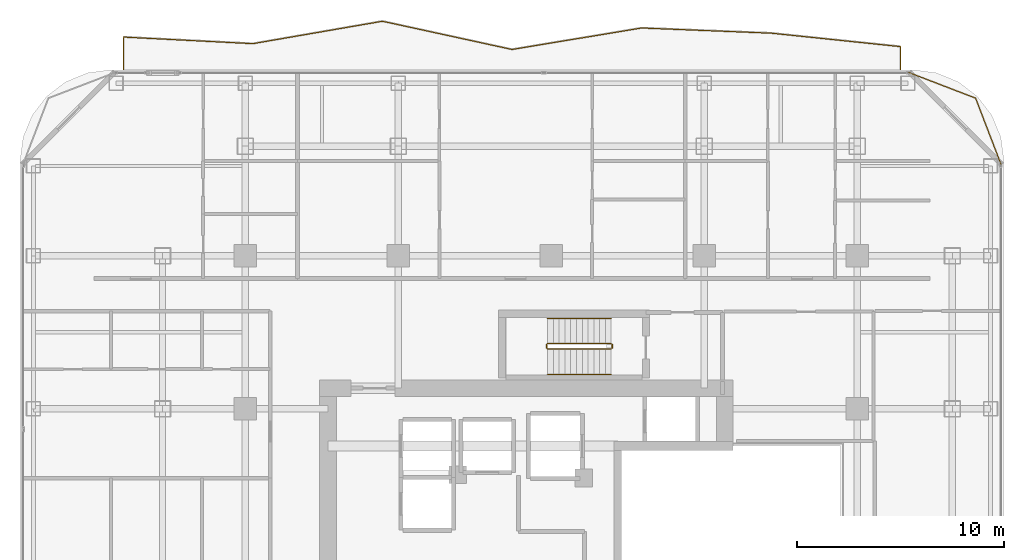
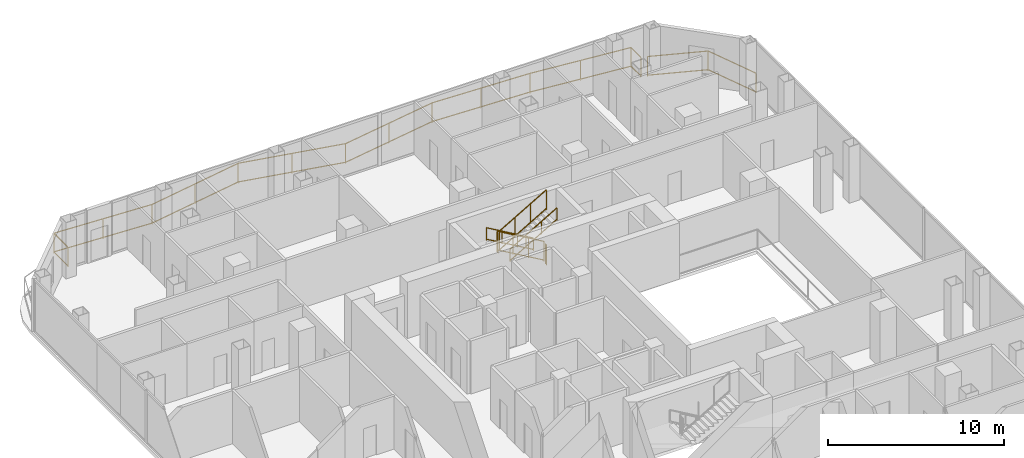
# One storey, part 26 of 26: 8 railings.
"""IFC4 building model written with IfcOpenShell, lengths in metres."""

from ifc_helpers import new_model, si_unit, direction, frame, origin, origin_2d, place, context, subcontext, project, spatial, rectangle, extrude, material, type_object, element, save


model = new_model("IFC4")

# Units and contexts
model_context = context("Model", 3, precision=1e-05, world=origin(), true_north=direction((0.0, 1.0)))
body_context = subcontext(model_context, "Body", "Model", "MODEL_VIEW")
ifc_project = project(units=[si_unit("LENGTHUNIT", "METRE"), si_unit("AREAUNIT", "SQUARE_METRE"), si_unit("VOLUMEUNIT", "CUBIC_METRE"), si_unit("PLANEANGLEUNIT", "RADIAN"), si_unit("MASSUNIT", "GRAM", prefix="KILO")], contexts=[model_context])

# Site, building, storey
site_placement = place(None, origin())
site = spatial("IfcSite", under=ifc_project, at=site_placement, CompositionType="ELEMENT")
building_placement = place(site_placement, origin())
building = spatial("IfcBuilding", under=site, at=building_placement, Name="Khorvyn Point Tower", CompositionType="ELEMENT")
storey_placement = place(building_placement, frame((0.0, 0.0, 183.60009765625)))
storey = spatial("IfcBuildingStorey", under=building, at=storey_placement, Name="L45", CompositionType="ELEMENT", Elevation=183.60009765625)

# Railings
ifc_material_1 = material(Name="Anodised aluminium 6063-T6 and laminated safety glass", Category="aluminium")
railing_type_1 = type_object("IfcRailingType", Name="Laminated Glass and Aluminium Balcony Guardrail 1400", PredefinedType="BALUSTRADE", material=ifc_material_1)
railing_1_placement = place(storey_placement, frame((21.774169921875, 19.176025390625, 0.0)))
element("IfcRailing", 1, at=railing_1_placement, inside=storey, type_object=railing_type_1, Name="L45 Rounded Corner Edge Guardrail NE", PredefinedType="BALUSTRADE", context=body_context, shape_type="SweptSolid", body=[
    extrude(rectangle(XDim=0.048095703125, YDim=0.048095703125, at=origin_2d()), frame((0.0, 0.0, 1.3759765625), z_axis=(-0.358382264808, 0.933574931257, 0.0), x_axis=(-0.933574931257, -0.358382264808, 0.0)), (0.0, 0.0, 1.0), 3.481689453125),
    extrude(rectangle(XDim=0.048095703125, YDim=0.048095703125, at=origin_2d()), frame((0.0, 0.0, 0.080078125), z_axis=(-0.358382264808, 0.933574931257, 0.0), x_axis=(-0.933574931257, -0.358382264808, 0.0)), (0.0, 0.0, 1.0), 3.481689453125),
    extrude(rectangle(XDim=0.048095703125, YDim=0.048095703125, at=origin_2d()), frame((-1.247802734375, 3.25048828125, 1.3759765625), z_axis=(-0.933598390295, 0.358321148746, 0.0), x_axis=(-0.358321148746, -0.933598390295, 0.0)), (0.0, 0.0, 1.0), 3.481689453125),
    extrude(rectangle(XDim=0.048095703125, YDim=0.048095703125, at=origin_2d()), frame((-1.247802734375, 3.25048828125, 0.080078125), z_axis=(-0.933598390295, 0.358321148746, 0.0), x_axis=(-0.358321148746, -0.933598390295, 0.0)), (0.0, 0.0, 1.0), 3.481689453125),
    extrude(rectangle(XDim=0.0419921875, YDim=0.0419921875, at=origin_2d()), origin(), (0.0, 0.0, 1.0), 1.351806640625),
    extrude(rectangle(XDim=0.0419921875, YDim=0.0419921875, at=origin_2d()), frame((-1.247802734375, 3.25048828125, 0.0)), (0.0, 0.0, 1.0), 1.351806640625),
    extrude(rectangle(XDim=0.0419921875, YDim=0.0419921875, at=origin_2d()), frame((-4.498291015625, 4.498046875, 0.0)), (0.0, 0.0, 1.0), 1.351806640625),
])
railing_2_placement = place(storey_placement, frame((16.89990234375, 23.800048828125, 0.0)))
element("IfcRailing", 2, at=railing_2_placement, inside=storey, type_object=railing_type_1, Name="L45 North Balcony Guardrail", PredefinedType="BALUSTRADE", context=body_context, shape_type="SweptSolid", body=[
    extrude(rectangle(XDim=0.048095703125, YDim=0.048095703125, at=origin_2d()), frame((0.0, 0.0, 1.3759765625), z_axis=(0.0, 1.0, 0.0), x_axis=(-1.0, 0.0, 0.0)), (0.0, 0.0, 1.0), 1.11865234375),
    extrude(rectangle(XDim=0.048095703125, YDim=0.048095703125, at=origin_2d()), frame((0.0, 0.0, 0.080078125), z_axis=(0.0, 1.0, 0.0), x_axis=(-1.0, 0.0, 0.0)), (0.0, 0.0, 1.0), 1.11865234375),
    extrude(rectangle(XDim=0.048095703125, YDim=0.048095703125, at=origin_2d()), frame((0.0, 1.11865234375, 1.3759765625), z_axis=(-0.99462938435, 0.103500665638, 0.0), x_axis=(-0.103500665638, -0.99462938435, 0.0)), (0.0, 0.0, 1.0), 6.300537109375),
    extrude(rectangle(XDim=0.048095703125, YDim=0.048095703125, at=origin_2d()), frame((0.0, 1.11865234375, 0.080078125), z_axis=(-0.99462938435, 0.103500665638, 0.0), x_axis=(-0.103500665638, -0.99462938435, 0.0)), (0.0, 0.0, 1.0), 6.300537109375),
    extrude(rectangle(XDim=0.048095703125, YDim=0.048095703125, at=origin_2d()), frame((-6.2666015625, 1.770751953125, 1.3759765625), z_axis=(-0.999209826541, 0.039745723582, 0.0), x_axis=(-0.039745723582, -0.999209826541, 0.0)), (0.0, 0.0, 1.0), 6.271484375),
    extrude(rectangle(XDim=0.048095703125, YDim=0.048095703125, at=origin_2d()), frame((-6.2666015625, 1.770751953125, 0.080078125), z_axis=(-0.999209826541, 0.039745723582, 0.0), x_axis=(-0.039745723582, -0.999209826541, 0.0)), (0.0, 0.0, 1.0), 6.271484375),
    extrude(rectangle(XDim=0.048095703125, YDim=0.048095703125, at=origin_2d()), frame((-12.533203125, 2.02001953125, 1.3759765625), z_axis=(-0.986524494659, -0.163613634633, 0.0), x_axis=(0.163613634633, -0.986524494659, 0.0)), (0.0, 0.0, 1.0), 6.352294921875),
    extrude(rectangle(XDim=0.048095703125, YDim=0.048095703125, at=origin_2d()), frame((-12.533203125, 2.02001953125, 0.080078125), z_axis=(-0.986524494659, -0.163613634633, 0.0), x_axis=(0.163613634633, -0.986524494659, 0.0)), (0.0, 0.0, 1.0), 6.352294921875),
    extrude(rectangle(XDim=0.048095703125, YDim=0.048095703125, at=origin_2d()), frame((-18.7998046875, 0.980712890625, 1.3759765625), z_axis=(-0.977051492994, 0.213003239503, 0.0), x_axis=(-0.213003239503, -0.977051492994, 0.0)), (0.0, 0.0, 1.0), 6.4140625),
    extrude(rectangle(XDim=0.048095703125, YDim=0.048095703125, at=origin_2d()), frame((-18.7998046875, 0.980712890625, 0.080078125), z_axis=(-0.977051492994, 0.213003239503, 0.0), x_axis=(-0.213003239503, -0.977051492994, 0.0)), (0.0, 0.0, 1.0), 6.4140625),
    extrude(rectangle(XDim=0.048095703125, YDim=0.048095703125, at=origin_2d()), frame((-25.066650390625, 2.346923828125, 1.3759765625), z_axis=(-0.985353979217, -0.170521364177, 0.0), x_axis=(0.170521364177, -0.985353979217, 0.0)), (0.0, 0.0, 1.0), 6.35986328125),
    extrude(rectangle(XDim=0.048095703125, YDim=0.048095703125, at=origin_2d()), frame((-25.066650390625, 2.346923828125, 0.080078125), z_axis=(-0.985353979217, -0.170521364177, 0.0), x_axis=(0.170521364177, -0.985353979217, 0.0)), (0.0, 0.0, 1.0), 6.35986328125),
    extrude(rectangle(XDim=0.048095703125, YDim=0.048095703125, at=origin_2d()), frame((-31.333251953125, 1.262451171875, 1.3759765625), z_axis=(-0.998706121207, 0.050853549183, 0.0), x_axis=(-0.050853549183, -0.998706121207, 0.0)), (0.0, 0.0, 1.0), 6.274658203125),
    extrude(rectangle(XDim=0.048095703125, YDim=0.048095703125, at=origin_2d()), frame((-31.333251953125, 1.262451171875, 0.080078125), z_axis=(-0.998706121207, 0.050853549183, 0.0), x_axis=(-0.050853549183, -0.998706121207, 0.0)), (0.0, 0.0, 1.0), 6.274658203125),
    extrude(rectangle(XDim=0.048095703125, YDim=0.048095703125, at=origin_2d()), frame((-37.599853515625, 1.58154296875, 1.3759765625), z_axis=(0.0, -1.0, 0.0), x_axis=(1.0, 0.0, 0.0)), (0.0, 0.0, 1.0), 1.58154296875),
    extrude(rectangle(XDim=0.048095703125, YDim=0.048095703125, at=origin_2d()), frame((-37.599853515625, 1.58154296875, 0.080078125), z_axis=(0.0, -1.0, 0.0), x_axis=(1.0, 0.0, 0.0)), (0.0, 0.0, 1.0), 1.58154296875),
    extrude(rectangle(XDim=0.0419921875, YDim=0.0419921875, at=origin_2d()), origin(), (0.0, 0.0, 1.0), 1.351806640625),
    extrude(rectangle(XDim=0.0419921875, YDim=0.0419921875, at=origin_2d()), frame((0.0, 1.11865234375, 0.0)), (0.0, 0.0, 1.0), 1.351806640625),
    extrude(rectangle(XDim=0.0419921875, YDim=0.0419921875, at=origin_2d()), frame((-3.13330078125, 1.44482421875, 0.0)), (0.0, 0.0, 1.0), 1.351806640625),
    extrude(rectangle(XDim=0.0419921875, YDim=0.0419921875, at=origin_2d()), frame((-6.2666015625, 1.770751953125, 0.0)), (0.0, 0.0, 1.0), 1.351806640625),
    extrude(rectangle(XDim=0.0419921875, YDim=0.0419921875, at=origin_2d()), frame((-9.39990234375, 1.8955078125, 0.0)), (0.0, 0.0, 1.0), 1.351806640625),
    extrude(rectangle(XDim=0.0419921875, YDim=0.0419921875, at=origin_2d()), frame((-12.533203125, 2.02001953125, 0.0)), (0.0, 0.0, 1.0), 1.351806640625),
    extrude(rectangle(XDim=0.0419921875, YDim=0.0419921875, at=origin_2d()), frame((-15.66650390625, 1.50048828125, 0.0)), (0.0, 0.0, 1.0), 1.351806640625),
    extrude(rectangle(XDim=0.0419921875, YDim=0.0419921875, at=origin_2d()), frame((-18.7998046875, 0.980712890625, 0.0)), (0.0, 0.0, 1.0), 1.351806640625),
    extrude(rectangle(XDim=0.0419921875, YDim=0.0419921875, at=origin_2d()), frame((-21.93310546875, 1.663818359375, 0.0)), (0.0, 0.0, 1.0), 1.351806640625),
    extrude(rectangle(XDim=0.0419921875, YDim=0.0419921875, at=origin_2d()), frame((-25.066650390625, 2.346923828125, 0.0)), (0.0, 0.0, 1.0), 1.351806640625),
    extrude(rectangle(XDim=0.0419921875, YDim=0.0419921875, at=origin_2d()), frame((-28.199951171875, 1.8046875, 0.0)), (0.0, 0.0, 1.0), 1.351806640625),
    extrude(rectangle(XDim=0.0419921875, YDim=0.0419921875, at=origin_2d()), frame((-31.333251953125, 1.262451171875, 0.0)), (0.0, 0.0, 1.0), 1.351806640625),
    extrude(rectangle(XDim=0.0419921875, YDim=0.0419921875, at=origin_2d()), frame((-34.466552734375, 1.421875, 0.0)), (0.0, 0.0, 1.0), 1.351806640625),
    extrude(rectangle(XDim=0.0419921875, YDim=0.0419921875, at=origin_2d()), frame((-37.599853515625, 1.58154296875, 0.0)), (0.0, 0.0, 1.0), 1.351806640625),
    extrude(rectangle(XDim=0.0419921875, YDim=0.0419921875, at=origin_2d()), frame((-37.599853515625, 0.0, 0.0)), (0.0, 0.0, 1.0), 1.351806640625),
])
ifc_material_2 = material(Name="Stainless steel 1.4301", Category="steel")
railing_type_2 = type_object("IfcRailingType", Name="Stainless Steel 304 Stair Pitch Handrail 900", PredefinedType="HANDRAIL", material=ifc_material_2)
railing_3_placement = place(storey_placement, frame((2.89990234375, 11.77001953125, 0.162353515625)))
element("IfcRailing", 3, at=railing_3_placement, inside=storey, type_object=railing_type_2, Name="L45 ST-02 stair handrail 1", PredefinedType="HANDRAIL", context=body_context, shape_type="SweptSolid", body=[
    extrude(rectangle(XDim=0.048095703125, YDim=0.048095703125, at=origin_2d()), frame((0.0, 0.0, 0.8759765625), z_axis=(-0.864873446163, 0.0, 0.501989962173), x_axis=(0.0, -1.0, 0.0)), (0.0, 0.0, 1.0), 3.56103515625),
    extrude(rectangle(XDim=0.048095703125, YDim=0.048095703125, at=origin_2d()), frame((0.0, 0.0, 0.080078125), z_axis=(-0.864873446163, 0.0, 0.501989962173), x_axis=(0.0, -1.0, 0.0)), (0.0, 0.0, 1.0), 3.56103515625),
    extrude(rectangle(XDim=0.0419921875, YDim=0.0419921875, at=origin_2d()), origin(), (0.0, 0.0, 1.0), 0.851806640625),
    extrude(rectangle(XDim=0.0419921875, YDim=0.0419921875, at=origin_2d()), frame((-1.026611328125, 0.0, 0.595947265625)), (0.0, 0.0, 1.0), 0.851806640625),
    extrude(rectangle(XDim=0.0419921875, YDim=0.0419921875, at=origin_2d()), frame((-2.05322265625, 0.0, 1.191650390625)), (0.0, 0.0, 1.0), 0.851806640625),
    extrude(rectangle(XDim=0.0419921875, YDim=0.0419921875, at=origin_2d()), frame((-3.079833984375, 0.0, 1.78759765625)), (0.0, 0.0, 1.0), 0.851806640625),
])
railing_4_placement = place(storey_placement, frame((-0.179931640625, 9.070068359375, 2.1123046875)))
element("IfcRailing", 4, at=railing_4_placement, inside=storey, type_object=railing_type_2, Name="L45 ST-02 stair handrail 2", PredefinedType="HANDRAIL", context=body_context, shape_type="SweptSolid", body=[
    extrude(rectangle(XDim=0.048095703125, YDim=0.048095703125, at=origin_2d()), frame((0.0, 0.0, 0.8759765625), z_axis=(0.864873446163, 0.0, 0.501989962173), x_axis=(0.0, 1.0, 0.0)), (0.0, 0.0, 1.0), 3.56103515625),
    extrude(rectangle(XDim=0.048095703125, YDim=0.048095703125, at=origin_2d()), frame((0.0, 0.0, 0.080078125), z_axis=(0.864873446163, 0.0, 0.501989962173), x_axis=(0.0, 1.0, 0.0)), (0.0, 0.0, 1.0), 3.56103515625),
    extrude(rectangle(XDim=0.0419921875, YDim=0.0419921875, at=origin_2d()), origin(), (0.0, 0.0, 1.0), 0.851806640625),
    extrude(rectangle(XDim=0.0419921875, YDim=0.0419921875, at=origin_2d()), frame((1.026611328125, 0.0, 0.595947265625)), (0.0, 0.0, 1.0), 0.851806640625),
    extrude(rectangle(XDim=0.0419921875, YDim=0.0419921875, at=origin_2d()), frame((2.05322265625, 0.0, 1.191650390625)), (0.0, 0.0, 1.0), 0.851806640625),
    extrude(rectangle(XDim=0.0419921875, YDim=0.0419921875, at=origin_2d()), frame((3.079833984375, 0.0, 1.78759765625)), (0.0, 0.0, 1.0), 0.851806640625),
])
railing_type_3 = type_object("IfcRailingType", Name="Stainless Steel 304 Stair Well Guardrail 1400", PredefinedType="GUARDRAIL", material=ifc_material_2)
railing_5_placement = place(storey_placement, frame((2.89990234375, 10.550048828125, 0.162353515625)))
element("IfcRailing", 5, at=railing_5_placement, inside=storey, type_object=railing_type_3, Name="L45 ST-02 stair guard 1", PredefinedType="GUARDRAIL", context=body_context, shape_type="SweptSolid", body=[
    extrude(rectangle(XDim=0.048095703125, YDim=0.048095703125, at=origin_2d()), frame((0.0, 0.0, 1.3759765625), z_axis=(-0.864873446163, 0.0, 0.501989962173), x_axis=(0.0, -1.0, 0.0)), (0.0, 0.0, 1.0), 3.56103515625),
    extrude(rectangle(XDim=0.048095703125, YDim=0.048095703125, at=origin_2d()), frame((0.0, 0.0, 0.080078125), z_axis=(-0.864873446163, 0.0, 0.501989962173), x_axis=(0.0, -1.0, 0.0)), (0.0, 0.0, 1.0), 3.56103515625),
    extrude(rectangle(XDim=0.0419921875, YDim=0.0419921875, at=origin_2d()), origin(), (0.0, 0.0, 1.0), 1.351806640625),
    extrude(rectangle(XDim=0.0419921875, YDim=0.0419921875, at=origin_2d()), frame((-1.026611328125, 0.0, 0.595947265625)), (0.0, 0.0, 1.0), 1.351806640625),
    extrude(rectangle(XDim=0.0419921875, YDim=0.0419921875, at=origin_2d()), frame((-2.05322265625, 0.0, 1.191650390625)), (0.0, 0.0, 1.0), 1.351806640625),
    extrude(rectangle(XDim=0.0419921875, YDim=0.0419921875, at=origin_2d()), frame((-3.079833984375, 0.0, 1.78759765625)), (0.0, 0.0, 1.0), 1.351806640625),
])
railing_6_placement = place(storey_placement, frame((-0.22998046875, 10.5, 1.949951171875)))
element("IfcRailing", 6, at=railing_6_placement, inside=storey, type_object=railing_type_3, Name="L45 ST-02 stair guard 2", PredefinedType="GUARDRAIL", context=body_context, shape_type="SweptSolid", body=[
    extrude(rectangle(XDim=0.048095703125, YDim=0.048095703125, at=origin_2d()), frame((0.0, 0.0, 1.3759765625), z_axis=(0.0, -1.0, 0.0), x_axis=(1.0, 0.0, 0.0)), (0.0, 0.0, 1.0), 0.159912109375),
    extrude(rectangle(XDim=0.048095703125, YDim=0.048095703125, at=origin_2d()), frame((0.0, 0.0, 0.080078125), z_axis=(0.0, -1.0, 0.0), x_axis=(1.0, 0.0, 0.0)), (0.0, 0.0, 1.0), 0.159912109375),
    extrude(rectangle(XDim=0.0419921875, YDim=0.0419921875, at=origin_2d()), origin(), (0.0, 0.0, 1.0), 1.351806640625),
    extrude(rectangle(XDim=0.0419921875, YDim=0.0419921875, at=origin_2d()), frame((0.0, -0.159912109375, 0.0)), (0.0, 0.0, 1.0), 1.351806640625),
])
railing_7_placement = place(storey_placement, frame((-0.179931640625, 10.2900390625, 2.1123046875)))
element("IfcRailing", 7, at=railing_7_placement, inside=storey, type_object=railing_type_3, Name="L45 ST-02 stair guard 3", PredefinedType="GUARDRAIL", context=body_context, shape_type="SweptSolid", body=[
    extrude(rectangle(XDim=0.048095703125, YDim=0.048095703125, at=origin_2d()), frame((0.0, 0.0, 1.3759765625), z_axis=(0.864873446163, 0.0, 0.501989962173), x_axis=(0.0, 1.0, 0.0)), (0.0, 0.0, 1.0), 3.56103515625),
    extrude(rectangle(XDim=0.048095703125, YDim=0.048095703125, at=origin_2d()), frame((0.0, 0.0, 0.080078125), z_axis=(0.864873446163, 0.0, 0.501989962173), x_axis=(0.0, 1.0, 0.0)), (0.0, 0.0, 1.0), 3.56103515625),
    extrude(rectangle(XDim=0.0419921875, YDim=0.0419921875, at=origin_2d()), origin(), (0.0, 0.0, 1.0), 1.351806640625),
    extrude(rectangle(XDim=0.0419921875, YDim=0.0419921875, at=origin_2d()), frame((1.026611328125, 0.0, 0.595947265625)), (0.0, 0.0, 1.0), 1.351806640625),
    extrude(rectangle(XDim=0.0419921875, YDim=0.0419921875, at=origin_2d()), frame((2.05322265625, 0.0, 1.191650390625)), (0.0, 0.0, 1.0), 1.351806640625),
    extrude(rectangle(XDim=0.0419921875, YDim=0.0419921875, at=origin_2d()), frame((3.079833984375, 0.0, 1.78759765625)), (0.0, 0.0, 1.0), 1.351806640625),
])
railing_8_placement = place(storey_placement, frame((2.949951171875, 10.5, 0.0)))
element("IfcRailing", 8, at=railing_8_placement, inside=storey, type_object=railing_type_3, Name="L45 ST-02 stair guard 4", PredefinedType="GUARDRAIL", context=body_context, shape_type="SweptSolid", body=[
    extrude(rectangle(XDim=0.048095703125, YDim=0.048095703125, at=origin_2d()), frame((0.0, 0.0, 1.3759765625), z_axis=(0.0, -1.0, 0.0), x_axis=(1.0, 0.0, 0.0)), (0.0, 0.0, 1.0), 0.159912109375),
    extrude(rectangle(XDim=0.048095703125, YDim=0.048095703125, at=origin_2d()), frame((0.0, 0.0, 0.080078125), z_axis=(0.0, -1.0, 0.0), x_axis=(1.0, 0.0, 0.0)), (0.0, 0.0, 1.0), 0.159912109375),
    extrude(rectangle(XDim=0.0419921875, YDim=0.0419921875, at=origin_2d()), origin(), (0.0, 0.0, 1.0), 1.351806640625),
    extrude(rectangle(XDim=0.0419921875, YDim=0.0419921875, at=origin_2d()), frame((0.0, -0.159912109375, 0.0)), (0.0, 0.0, 1.0), 1.351806640625),
])

save(model, "model.ifc")
